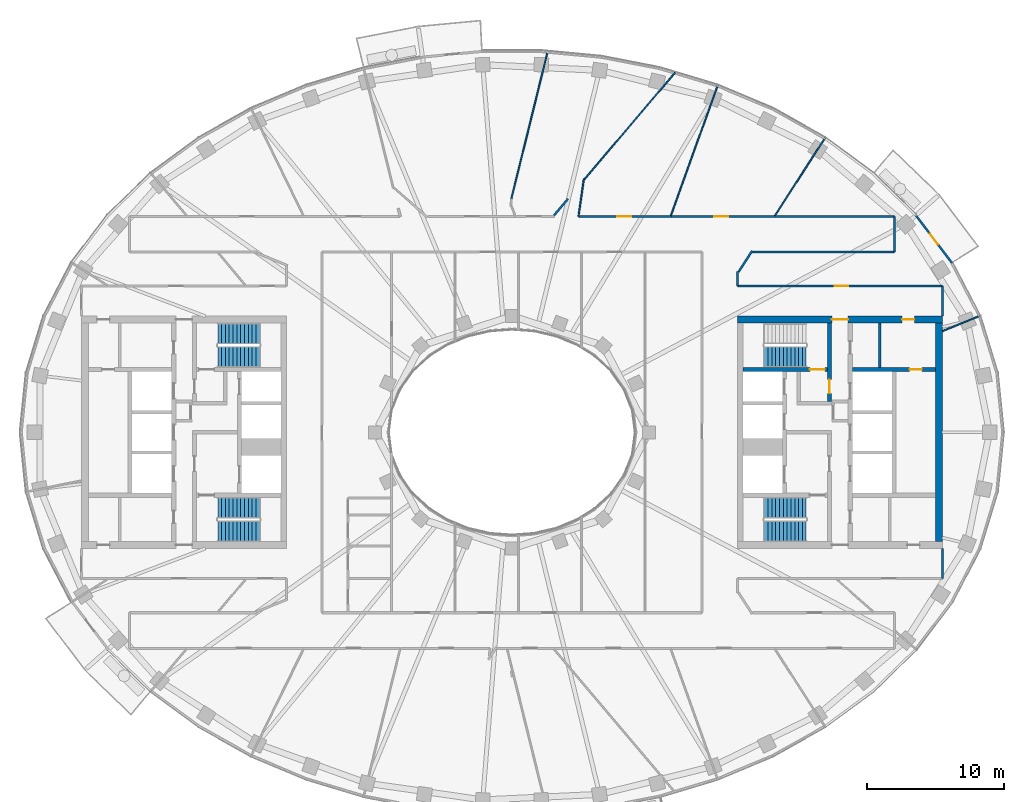
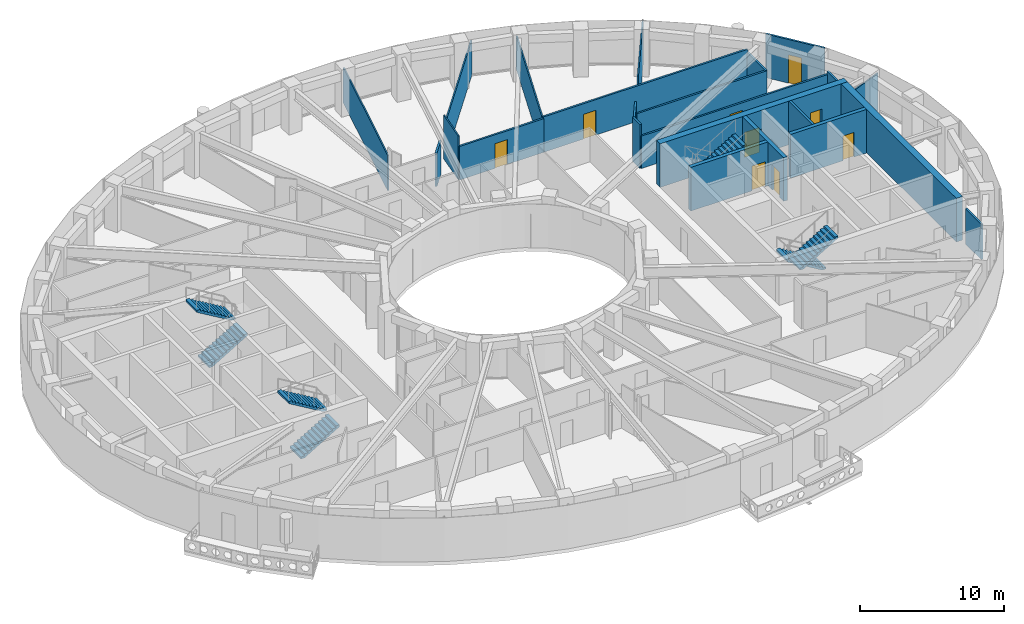
# One storey, part 7 of 17: 23 walls, 9 doors, 7 stair flights, 9 openings, 4 elements without a shape of their own.
"""IFC4 building model written with IfcOpenShell, lengths in metres."""

import ifcopenshell
import ifcopenshell.guid

model = None  # the IFC model being written
_history = None  # IfcOwnerHistory: only IFC2X3 demands one
_inside = {}  # id of a spatial element -> (the spatial element, [elements in it])
_under = {}  # id of a project, library or spatial element -> (it, [spatial elements below it])
_declared = {}  # id of a project -> (the project, [libraries it declares])
_typed = {}  # id of a type object -> (the type object, [elements of that type])
_made_of = {}  # id of a material, layer set ... -> (it, [elements and type objects made of it])


def new_model(schema):
    """Start an empty IFC model of exactly this schema.

    Asked for "IFC4X3", IfcOpenShell would pick the latest addendum, in which some entities
    have other attributes; the version numbers below select the first issue.
    IFC2X3 requires an IfcOwnerHistory on every rooted entity: one is made here for all.
    """
    global model, _history
    if schema == "IFC4X3":
        model = ifcopenshell.file(schema_version=(4, 3, 0, 0))
    else:
        model = ifcopenshell.file(schema=schema)
    _inside.clear()
    _under.clear()
    _declared.clear()
    _typed.clear()
    _made_of.clear()
    _history = None
    if model.schema == "IFC2X3":
        org = make("IfcOrganization", Name="unknown")
        user = make(
            "IfcPersonAndOrganization",
            ThePerson=make("IfcPerson", FamilyName="unknown"),
            TheOrganization=org,
        )
        app = make(
            "IfcApplication",
            ApplicationDeveloper=org,
            Version="unknown",
            ApplicationFullName="unknown",
            ApplicationIdentifier="unknown",
        )
        _history = make(
            "IfcOwnerHistory",
            OwningUser=user,
            OwningApplication=app,
            ChangeAction="ADDED",
            CreationDate=0,
        )
    return model


def make(cls, **values):
    """One entity of the class cls with the attributes given. An attribute that is None is left unset."""
    return model.create_entity(
        cls, **{name: value for name, value in values.items() if value is not None}
    )


def rooted(cls, **values):
    """An entity with a GlobalId (a new one), such as an element, a storey or a relation."""
    return make(cls, GlobalId=ifcopenshell.guid.new(), OwnerHistory=_history, **values)


def si_unit(unit_type, name, prefix=None):
    """IfcSIUnit, for example si_unit("LENGTHUNIT", "METRE", prefix="MILLI")."""
    return make("IfcSIUnit", UnitType=unit_type, Prefix=prefix, Name=name)


def assignment(units):
    """IfcUnitAssignment: the units of a project."""
    return None if units is None else make("IfcUnitAssignment", Units=units)


def point(xyz):
    """IfcCartesianPoint."""
    return None if xyz is None else make("IfcCartesianPoint", Coordinates=xyz)


def direction(xyz):
    """IfcDirection."""
    return None if xyz is None else make("IfcDirection", DirectionRatios=xyz)


def frame(location, z_axis=None, x_axis=None):
    """IfcAxis2Placement3D, a coordinate frame: its origin and axes. An axis left out is left unset."""
    return make(
        "IfcAxis2Placement3D",
        Location=point(location),
        Axis=direction(z_axis),
        RefDirection=direction(x_axis),
    )


def frame_2d(location, x_axis=None):
    """IfcAxis2Placement2D, a coordinate frame in the plane: its origin and x axis."""
    return make(
        "IfcAxis2Placement2D", Location=point(location), RefDirection=direction(x_axis)
    )


def origin():
    """The frame at (0, 0, 0) with its axes left unset."""
    return frame((0.0, 0.0, 0.0))


def place(relative_to, where):
    """IfcLocalPlacement: puts the frame where relative to a parent placement (None: the world)."""
    return make(
        "IfcLocalPlacement", PlacementRelTo=relative_to, RelativePlacement=where
    )


def context(
    kind, dimensions, precision=None, world=None, true_north=None, identifier=None
):
    """IfcGeometricRepresentationContext, for example the 3D "Model" context."""
    return make(
        "IfcGeometricRepresentationContext",
        ContextIdentifier=identifier,
        ContextType=kind,
        CoordinateSpaceDimension=dimensions,
        Precision=precision,
        WorldCoordinateSystem=world,
        TrueNorth=true_north,
    )


def subcontext(parent, identifier, kind, view, scale=None):
    """IfcGeometricRepresentationSubContext, for example "Body" below "Model"."""
    return make(
        "IfcGeometricRepresentationSubContext",
        ContextIdentifier=identifier,
        ContextType=kind,
        ParentContext=parent,
        TargetScale=scale,
        TargetView=view,
    )


def project(units=None, contexts=None):
    """IfcProject with its units and contexts."""
    return rooted(
        "IfcProject",
        Name="project",
        RepresentationContexts=contexts,
        UnitsInContext=assignment(units),
    )


def spatial(cls, under=None, at=None, **own):
    """A site, building, storey or space (cls), placed at a placement, below another one or the project."""
    s = rooted(cls, ObjectPlacement=at, **own)
    if under is not None:
        _under.setdefault(under.id(), (under, []))[1].append(s)
    return s


def polyline(points):
    """IfcPolyline through the points."""
    return make("IfcPolyline", Points=[point(p) for p in points])


def profile(cls, at=None, kind="AREA", **sizes):
    """A parametric profile (cls). Its sizes go by their IFC names, for example OverallWidth=200.0."""
    return make(cls, ProfileType=kind, Position=at, **sizes)


def rectangle(**sizes):
    """IfcRectangleProfileDef."""
    return profile("IfcRectangleProfileDef", **sizes)


def outline(outer, holes=None, kind="AREA"):
    """IfcArbitraryClosedProfileDef: a profile drawn as a closed curve; with holes, ...WithVoids."""
    if holes is None:
        return make("IfcArbitraryClosedProfileDef", ProfileType=kind, OuterCurve=outer)
    return make(
        "IfcArbitraryProfileDefWithVoids",
        ProfileType=kind,
        OuterCurve=outer,
        InnerCurves=holes,
    )


def extrude(swept, where, along, depth):
    """IfcExtrudedAreaSolid: the profile swept, set in the frame where, extruded along a direction by depth."""
    return make(
        "IfcExtrudedAreaSolid",
        SweptArea=swept,
        Position=where,
        ExtrudedDirection=direction(along),
        Depth=depth,
    )


def shape(context_of_items, identifier, shape_type, items):
    """IfcShapeRepresentation: the items that make up one representation, for example the "Body"."""
    return make(
        "IfcShapeRepresentation",
        ContextOfItems=context_of_items,
        RepresentationIdentifier=identifier,
        RepresentationType=shape_type,
        Items=items,
    )


def material(Name=None, Category=None):
    """IfcMaterial."""
    return make("IfcMaterial", Name=Name, Category=Category)


def layer(
    of_material, thickness, ventilated=None, Name=None, Category=None, Priority=None
):
    """IfcMaterialLayer: one layer of a wall or slab, of a material (None: an air gap)."""
    return make(
        "IfcMaterialLayer",
        Material=of_material,
        LayerThickness=thickness,
        IsVentilated=ventilated,
        Name=Name,
        Category=Category,
        Priority=Priority,
    )


def layer_set(layers, Name=None):
    """IfcMaterialLayerSet."""
    return make("IfcMaterialLayerSet", MaterialLayers=layers, LayerSetName=Name)


def made_of(thing, what):
    """Note that an element or type object is made of a material, layer set ...; save() writes the relation."""
    if what is not None:
        _made_of.setdefault(what.id(), (what, []))[1].append(thing)
    return thing


def type_object(cls, material=None, **own):
    """A type object (cls), such as IfcWallType, which elements share."""
    return made_of(rooted(cls, **own), material)


def element(
    cls,
    number,
    at=None,
    inside=None,
    cuts=None,
    type_object=None,
    material=None,
    context=None,
    identifier="Body",
    shape_type=None,
    held_by="IfcProductDefinitionShape",
    body=None,
    shapes=None,
    **own,
):
    """One element of the class cls, such as IfcWall. Its Tag is "e" and its number.

    at: its placement. inside: the storey or other place that contains it. cuts: it is an
    opening in that element (IfcRelVoidsElement). A single representation is given by context,
    identifier, shape_type and body (its items); several are given by shapes. held_by: the class
    of the entity that holds the representations. save() writes the other relations.
    """
    e = rooted(cls, Tag="e%d" % number, ObjectPlacement=at, **own)
    if body is not None:
        shapes = [shape(context, identifier, shape_type, body)]
    if shapes is not None:
        e.Representation = make(held_by, Representations=shapes)
    if inside is not None:
        _inside.setdefault(inside.id(), (inside, []))[1].append(e)
    if cuts is not None:
        rooted(
            "IfcRelVoidsElement", RelatingBuildingElement=cuts, RelatedOpeningElement=e
        )
    if type_object is not None:
        _typed.setdefault(type_object.id(), (type_object, []))[1].append(e)
    return made_of(e, material)


def fill(opening, filler):
    """IfcRelFillsElement: the door or window that sits in an opening."""
    return rooted(
        "IfcRelFillsElement",
        RelatingOpeningElement=opening,
        RelatedBuildingElement=filler,
    )


def aggregate(whole, parts):
    """IfcRelAggregates: a whole, such as a stair, and the parts it consists of."""
    return rooted("IfcRelAggregates", RelatingObject=whole, RelatedObjects=parts)


def save(model, path):
    """Write the relations noted so far, then the file.

    IfcRelAggregates (storeys below a building ...), IfcRelContainedInSpatialStructure (elements
    in a storey), IfcRelDefinesByType, IfcRelAssociatesMaterial and IfcRelDeclares: one each for
    every whole, place, type object, material and project.
    """
    for whole, parts in _under.values():
        aggregate(whole, parts)
    for where, things in _inside.values():
        rooted(
            "IfcRelContainedInSpatialStructure",
            RelatedElements=things,
            RelatingStructure=where,
        )
    for kind, things in _typed.values():
        rooted("IfcRelDefinesByType", RelatedObjects=things, RelatingType=kind)
    for what, things in _made_of.values():
        rooted("IfcRelAssociatesMaterial", RelatedObjects=things, RelatingMaterial=what)
    for by, libraries in _declared.values():
        rooted("IfcRelDeclares", RelatingContext=by, RelatedDefinitions=libraries)
    model.write(path)


model = new_model("IFC4")

# Units and contexts
model_context = context("Model", 3, precision=1e-05, world=origin(), true_north=direction((0.0, 1.0)))
body_context = subcontext(model_context, "Body", "Model", "MODEL_VIEW")
ifc_project = project(units=[si_unit("LENGTHUNIT", "METRE"), si_unit("AREAUNIT", "SQUARE_METRE"), si_unit("VOLUMEUNIT", "CUBIC_METRE"), si_unit("PLANEANGLEUNIT", "RADIAN"), si_unit("MASSUNIT", "GRAM", prefix="KILO")], contexts=[model_context])

# Site, building, storey
site_placement = place(None, origin())
site = spatial("IfcSite", under=ifc_project, at=site_placement, CompositionType="ELEMENT")
building_placement = place(site_placement, origin())
building = spatial("IfcBuilding", under=site, at=building_placement, Name="Noorbagh Ring Tower", CompositionType="ELEMENT")
storey_placement = place(building_placement, frame((0.0, 0.0, 269.5)))
storey = spatial("IfcBuildingStorey", under=building, at=storey_placement, Name="L57", CompositionType="ELEMENT", Elevation=269.5)

# Wall
ifc_material_1 = material(Name="Gypsum board on steel studs", Category="steel")
ifc_layer_1 = layer(ifc_material_1, 0.199951171875)
ifc_layer_set_1 = layer_set([ifc_layer_1], Name="Gypsum board on steel studs")
wall_type_1 = type_object("IfcWallType", Name="CORE-PARTITION-200", PredefinedType="PARTITIONING", material=ifc_layer_set_1)
wall_1_placement = place(storey_placement, frame((26.89990234375, 4.75, 0.0), z_axis=(0.0, 0.0, 1.0), x_axis=(0.0, 1.0, 0.0)))
element("IfcWall", 1, at=wall_1_placement, inside=storey, type_object=wall_type_1, Name="Core partition E", PredefinedType="PARTITIONING", context=body_context, shape_type="SweptSolid", body=[
    extrude(rectangle(XDim=3.25, YDim=0.199951171875, at=frame_2d((1.625, 0.0))), origin(), (0.0, 0.0, 1.0), 3.699951171875),
])

# Wall, opening, door
ifc_material_2 = material(Name="Concrete C60/75", Category="concrete")
ifc_layer_2 = layer(ifc_material_2, 0.300048828125)
ifc_layer_set_2 = layer_set([ifc_layer_2], Name="Concrete C60/75")
wall_type_2 = type_object("IfcWallType", Name="CORE-WALL-300-C60-75-EI240", PredefinedType="SHEAR", material=ifc_layer_set_2)
wall_2_placement = place(storey_placement, frame((24.89990234375, 4.60009765625, 0.0), z_axis=(0.0, 0.0, 1.0), x_axis=(1.0, 0.0, 0.0)))
wall_2 = element("IfcWall", 2, at=wall_2_placement, inside=storey, type_object=wall_type_2, Name="Core wall E", PredefinedType="SHEAR", context=body_context, shape_type="SweptSolid", body=[
    extrude(rectangle(XDim=6.10009765625, YDim=0.300048828125, at=frame_2d((3.050048828125, 0.0))), origin(), (0.0, 0.0, 1.0), 3.699951171875),
])
opening_1_placement = place(wall_2_placement, frame((4.199951171875, 0.0, 0.0)))
opening_1 = element("IfcOpeningElement", 3, at=opening_1_placement, cuts=wall_2, Name="Opening L57-CE18", PredefinedType="OPENING", context=body_context, shape_type="SweptSolid", body=[
    extrude(rectangle(XDim=0.89990234375, YDim=2.10009765625, at=frame_2d((0.449951171875, 1.050048828125))), frame((0.0, 0.16015625, 0.0), z_axis=(0.0, -1.0, 0.0), x_axis=(1.0, 0.0, 0.0)), (0.0, 0.0, 1.0), 0.320068359375),
])
ifc_material_3 = material(Name="Steel door leaf", Category="steel")
door_type_1 = type_object("IfcDoorType", Name="CORE-DOOR-DROOM", OperationType="SINGLE_SWING_LEFT", PredefinedType="DOOR", material=ifc_material_3)
door_1_placement = place(opening_1_placement, origin())
door_1 = element("IfcDoor", 4, at=door_1_placement, inside=storey, type_object=door_type_1, Name="Core room door L57-CE18", OperationType="SINGLE_SWING_RIGHT", OverallHeight=2.10009765625, OverallWidth=0.89990234375, PredefinedType="DOOR", context=body_context, shape_type="SweptSolid", body=[
    extrude(rectangle(XDim=0.89990234375, YDim=2.10009765625, at=frame_2d((0.449951171875, 1.050048828125))), frame((0.0, 0.02490234375, 0.0), z_axis=(0.0, -1.0, 0.0), x_axis=(1.0, 0.0, 0.0)), (0.0, 0.0, 1.0), 0.050048828125),
])
fill(opening_1, door_1)

wall_3_placement = place(storey_placement, frame((23.22998046875, 2.25, 0.0), z_axis=(0.0, 0.0, 1.0), x_axis=(0.0, 1.0, 0.0)))
wall_3 = element("IfcWall", 5, at=wall_3_placement, inside=storey, type_object=wall_type_2, Name="Core wall E", PredefinedType="SHEAR", context=body_context, shape_type="SweptSolid", body=[
    extrude(rectangle(XDim=5.75, YDim=0.300048828125, at=frame_2d((2.875, 0.0))), origin(), (0.0, 0.0, 1.0), 3.699951171875),
])
opening_2_placement = place(wall_3_placement, frame((0.60009765625, 0.0, 0.0)))
opening_2 = element("IfcOpeningElement", 6, at=opening_2_placement, cuts=wall_3, Name="Opening L57-CE10", PredefinedType="OPENING", context=body_context, shape_type="SweptSolid", body=[
    extrude(rectangle(XDim=1.0, YDim=2.10009765625, at=frame_2d((0.5, 1.050048828125))), frame((0.0, 0.16015625, 0.0), z_axis=(0.0, -1.0, 0.0), x_axis=(1.0, 0.0, 0.0)), (0.0, 0.0, 1.0), 0.320068359375),
])
ifc_material_4 = material(Name="Steel door leaf", Category="steel")
door_type_2 = type_object("IfcDoorType", Name="CORE-DOOR-DVEST", OperationType="SINGLE_SWING_LEFT", PredefinedType="DOOR", material=ifc_material_4)
door_2_placement = place(opening_2_placement, origin())
door_2 = element("IfcDoor", 7, at=door_2_placement, inside=storey, type_object=door_type_2, Name="Stair vestibule door L57-CE10", OperationType="SINGLE_SWING_RIGHT", OverallHeight=2.10009765625, OverallWidth=1.0, PredefinedType="DOOR", context=body_context, shape_type="SweptSolid", body=[
    extrude(rectangle(XDim=1.0, YDim=2.10009765625, at=frame_2d((0.5, 1.050048828125))), frame((0.0, 0.02490234375, 0.0), z_axis=(0.0, -1.0, 0.0), x_axis=(1.0, 0.0, 0.0)), (0.0, 0.0, 1.0), 0.050048828125),
])
fill(opening_2, door_2)

wall_4_placement = place(storey_placement, frame((16.89990234375, 4.60009765625, 0.0), z_axis=(0.0, 0.0, 1.0), x_axis=(1.0, 0.0, 0.0)))
wall_4 = element("IfcWall", 8, at=wall_4_placement, inside=storey, type_object=wall_type_2, Name="Core wall E", PredefinedType="SHEAR", context=body_context, shape_type="SweptSolid", body=[
    extrude(rectangle(XDim=6.18017578125, YDim=0.300048828125, at=frame_2d((3.090087890625, 0.0))), origin(), (0.0, 0.0, 1.0), 3.699951171875),
])
opening_3_placement = place(wall_4_placement, frame((4.89990234375, 0.0, 0.0)))
opening_3 = element("IfcOpeningElement", 9, at=opening_3_placement, cuts=wall_4, Name="Opening L57-CE07", PredefinedType="OPENING", context=body_context, shape_type="SweptSolid", body=[
    extrude(rectangle(XDim=1.10009765625, YDim=2.10009765625, at=frame_2d((0.550048828125, 1.050048828125))), frame((0.0, 0.16015625, 0.0), z_axis=(0.0, -1.0, 0.0), x_axis=(1.0, 0.0, 0.0)), (0.0, 0.0, 1.0), 0.320068359375),
])
ifc_material_5 = material(Name="Steel door leaf", Category="steel")
door_type_3 = type_object("IfcDoorType", Name="CORE-DOOR-DSTAIR", OperationType="SINGLE_SWING_LEFT", PredefinedType="DOOR", material=ifc_material_5)
door_3_placement = place(opening_3_placement, origin())
door_3 = element("IfcDoor", 10, at=door_3_placement, inside=storey, type_object=door_type_3, Name="Stair door ST3 L57-CE07", OperationType="SINGLE_SWING_LEFT", OverallHeight=2.10009765625, OverallWidth=1.10009765625, PredefinedType="DOOR", context=body_context, shape_type="SweptSolid", body=[
    extrude(rectangle(XDim=1.10009765625, YDim=2.10009765625, at=frame_2d((0.550048828125, 1.050048828125))), frame((0.0, 0.02490234375, 0.0), z_axis=(0.0, -1.0, 0.0), x_axis=(1.0, 0.0, 0.0)), (0.0, 0.0, 1.0), 0.050048828125),
])
fill(opening_3, door_3)

# Wall, openings, doors
ifc_material_6 = material(Name="Concrete C60/75", Category="concrete")
ifc_layer_3 = layer(ifc_material_6, 0.5)
ifc_layer_set_3 = layer_set([ifc_layer_3], Name="Concrete C60/75")
wall_type_3 = type_object("IfcWallType", Name="CORE-WALL-500-C60-75-EI240", PredefinedType="SHEAR", material=ifc_layer_set_3)
wall_5_placement = place(storey_placement, frame((16.5, 8.25, 0.0), z_axis=(0.0, 0.0, 1.0), x_axis=(1.0, 0.0, 0.0)))
wall_5 = element("IfcWall", 11, at=wall_5_placement, inside=storey, type_object=wall_type_3, Name="Core wall E", PredefinedType="SHEAR", context=body_context, shape_type="SweptSolid", body=[
    extrude(rectangle(XDim=15.0, YDim=0.5, at=frame_2d((7.5, 0.0))), origin(), (0.0, 0.0, 1.0), 3.699951171875),
])
opening_4_placement = place(wall_5_placement, frame((6.89990234375, 0.0, 0.0)))
opening_4 = element("IfcOpeningElement", 12, at=opening_4_placement, cuts=wall_5, Name="Opening L57-CE11", PredefinedType="OPENING", context=body_context, shape_type="SweptSolid", body=[
    extrude(rectangle(XDim=1.199951171875, YDim=2.10009765625, at=frame_2d((0.60009765625, 1.050048828125))), frame((0.0, 0.260009765625, 0.0), z_axis=(0.0, -1.0, 0.0), x_axis=(1.0, 0.0, 0.0)), (0.0, 0.0, 1.0), 0.52001953125),
])
opening_5_placement = place(wall_5_placement, frame((12.050048828125, 0.0, 0.0)))
opening_5 = element("IfcOpeningElement", 13, at=opening_5_placement, cuts=wall_5, Name="Opening L57-CE14", PredefinedType="OPENING", context=body_context, shape_type="SweptSolid", body=[
    extrude(rectangle(XDim=0.89990234375, YDim=2.10009765625, at=frame_2d((0.449951171875, 1.050048828125))), frame((0.0, 0.260009765625, 0.0), z_axis=(0.0, -1.0, 0.0), x_axis=(1.0, 0.0, 0.0)), (0.0, 0.0, 1.0), 0.52001953125),
])
door_4_placement = place(opening_5_placement, origin())
door_4 = element("IfcDoor", 14, at=door_4_placement, inside=storey, type_object=door_type_1, Name="Core room door L57-CE14", OperationType="SINGLE_SWING_LEFT", OverallHeight=2.10009765625, OverallWidth=0.89990234375, PredefinedType="DOOR", context=body_context, shape_type="SweptSolid", body=[
    extrude(rectangle(XDim=0.89990234375, YDim=2.10009765625, at=frame_2d((0.449951171875, 1.050048828125))), frame((0.0, 0.02490234375, 0.0), z_axis=(0.0, -1.0, 0.0), x_axis=(1.0, 0.0, 0.0)), (0.0, 0.0, 1.0), 0.050048828125),
])
fill(opening_5, door_4)
ifc_material_7 = material(Name="Steel door leaf", Category="steel")
door_type_4 = type_object("IfcDoorType", Name="CORE-DOOR-PORT", OperationType="DOUBLE_DOOR_DOUBLE_SWING", PredefinedType="DOOR", material=ifc_material_7)
door_5_placement = place(opening_4_placement, origin())
door_5 = element("IfcDoor", 15, at=door_5_placement, inside=storey, type_object=door_type_4, Name="Core entrance door L57-CE11", OperationType="DOUBLE_DOOR_DOUBLE_SWING", OverallHeight=2.10009765625, OverallWidth=1.199951171875, PredefinedType="DOOR", context=body_context, shape_type="SweptSolid", body=[
    extrude(rectangle(XDim=1.199951171875, YDim=2.10009765625, at=frame_2d((0.60009765625, 1.050048828125))), frame((0.0, 0.02490234375, 0.0), z_axis=(0.0, -1.0, 0.0), x_axis=(1.0, 0.0, 0.0)), (0.0, 0.0, 1.0), 0.050048828125),
])
fill(opening_4, door_5)

# Walls
wall_6_placement = place(storey_placement, frame((31.25, -8.0, 0.0), z_axis=(0.0, 0.0, 1.0), x_axis=(0.0, 1.0, 0.0)))
element("IfcWall", 16, at=wall_6_placement, inside=storey, type_object=wall_type_3, Name="Core wall E", PredefinedType="SHEAR", context=body_context, shape_type="SweptSolid", body=[
    extrude(rectangle(XDim=16.0, YDim=0.5, at=frame_2d((8.0, 0.0))), origin(), (0.0, 0.0, 1.0), 3.699951171875),
])
ifc_material_8 = material(Name="Gypsum board on steel studs", Category="steel")
ifc_layer_4 = layer(ifc_material_8, 0.14990234375)
ifc_layer_set_4 = layer_set([ifc_layer_4], Name="Gypsum board on steel studs")
wall_type_4 = type_object("IfcWallType", Name="CORRIDOR PARTITION 150 EI 30", PredefinedType="PARTITIONING", material=ifc_layer_set_4)
wall_7_placement = place(storey_placement, frame((3.074951171875, 15.8779296875, 0.0), z_axis=(0.0, 0.0, 1.0), x_axis=(0.646427152644, 0.76297571149, 0.0)))
element("IfcWall", 17, at=wall_7_placement, inside=storey, type_object=wall_type_4, Name="L57/wall/P58", PredefinedType="PARTITIONING", context=body_context, shape_type="SweptSolid", body=[
    extrude(rectangle(XDim=1.579345703125, YDim=0.14990234375, at=frame_2d((0.78955078125, 0.0))), origin(), (0.0, 0.0, 1.0), 2.85009765625),
])

# Wall, opening, door
wall_8_placement = place(storey_placement, frame((4.884033203125, 15.800048828125, 0.0), z_axis=(0.0, 0.0, 1.0), x_axis=(1.0, 0.0, 0.0)))
wall_8 = element("IfcWall", 18, at=wall_8_placement, inside=storey, type_object=wall_type_4, Name="L57/wall/P60", PredefinedType="PARTITIONING", context=body_context, shape_type="SweptSolid", body=[
    extrude(rectangle(XDim=6.77099609375, YDim=0.14990234375, at=frame_2d((3.385498046875, 0.0))), origin(), (0.0, 0.0, 1.0), 2.85009765625),
])
opening_6_placement = place(wall_8_placement, frame((2.830078125, 0.0, 0.0)))
opening_6 = element("IfcOpeningElement", 19, at=opening_6_placement, cuts=wall_8, Name="Opening D1", PredefinedType="OPENING", context=body_context, shape_type="SweptSolid", body=[
    extrude(rectangle(XDim=1.0, YDim=2.10009765625, at=frame_2d((0.5, 1.050048828125))), frame((0.0, 0.0849609375, 0.0), z_axis=(0.0, -1.0, 0.0), x_axis=(1.0, 0.0, 0.0)), (0.0, 0.0, 1.0), 0.169921875),
])
ifc_material_9 = material(Name="Timber, painted", Category="wood")
door_type_5 = type_object("IfcDoorType", Name="DOOR 1000 X 2100 FD30", OperationType="SINGLE_SWING_LEFT", PredefinedType="DOOR", material=ifc_material_9)
door_6_placement = place(opening_6_placement, origin())
door_6 = element("IfcDoor", 20, at=door_6_placement, inside=storey, type_object=door_type_5, Name="L57-D21", OperationType="SINGLE_SWING_LEFT", OverallHeight=2.10009765625, OverallWidth=1.0, PredefinedType="DOOR", context=body_context, shape_type="SweptSolid", body=[
    extrude(rectangle(XDim=1.0, YDim=2.10009765625, at=frame_2d((0.5, 1.050048828125))), frame((0.0, 0.02490234375, 0.0), z_axis=(0.0, -1.0, 0.0), x_axis=(1.0, 0.0, 0.0)), (0.0, 0.0, 1.0), 0.050048828125),
])
fill(opening_6, door_6)

wall_9_placement = place(storey_placement, frame((11.614013671875, 15.800048828125, 0.0), z_axis=(0.0, 0.0, 1.0), x_axis=(1.0, 0.0, 0.0)))
wall_9 = element("IfcWall", 21, at=wall_9_placement, inside=storey, type_object=wall_type_4, Name="L57/wall/P68", PredefinedType="PARTITIONING", context=body_context, shape_type="SweptSolid", body=[
    extrude(rectangle(XDim=16.385986328125, YDim=0.14990234375, at=frame_2d((8.19287109375, 0.0))), origin(), (0.0, 0.0, 1.0), 3.0),
])
opening_7_placement = place(wall_9_placement, frame((3.193115234375, 0.0, 0.0)))
opening_7 = element("IfcOpeningElement", 22, at=opening_7_placement, cuts=wall_9, Name="Opening D1", PredefinedType="OPENING", context=body_context, shape_type="SweptSolid", body=[
    extrude(rectangle(XDim=1.0, YDim=2.10009765625, at=frame_2d((0.5, 1.050048828125))), frame((0.0, 0.0849609375, 0.0), z_axis=(0.0, -1.0, 0.0), x_axis=(1.0, 0.0, 0.0)), (0.0, 0.0, 1.0), 0.169921875),
])
door_7_placement = place(opening_7_placement, origin())
door_7 = element("IfcDoor", 23, at=door_7_placement, inside=storey, type_object=door_type_5, Name="L57-D23", OperationType="SINGLE_SWING_LEFT", OverallHeight=2.10009765625, OverallWidth=1.0, PredefinedType="DOOR", context=body_context, shape_type="SweptSolid", body=[
    extrude(rectangle(XDim=1.0, YDim=2.10009765625, at=frame_2d((0.5, 1.050048828125))), frame((0.0, 0.02490234375, 0.0), z_axis=(0.0, -1.0, 0.0), x_axis=(1.0, 0.0, 0.0)), (0.0, 0.0, 1.0), 0.050048828125),
])
fill(opening_7, door_7)

# Wall
wall_10_placement = place(storey_placement, frame((16.5, 10.699951171875, 0.0), z_axis=(0.0, 0.0, 1.0), x_axis=(0.0, 1.0, 0.0)))
element("IfcWall", 24, at=wall_10_placement, inside=storey, type_object=wall_type_4, Name="L57/wall/P73", PredefinedType="PARTITIONING", context=body_context, shape_type="SweptSolid", body=[
    extrude(rectangle(XDim=1.054931640625, YDim=0.14990234375, at=frame_2d((0.52734375, 0.0))), origin(), (0.0, 0.0, 1.0), 3.699951171875),
])

# Wall, opening, door
wall_11_placement = place(storey_placement, frame((16.5, 10.699951171875, 0.0), z_axis=(0.0, 0.0, 1.0), x_axis=(1.0, 0.0, 0.0)))
wall_11 = element("IfcWall", 25, at=wall_11_placement, inside=storey, type_object=wall_type_4, Name="L57/wall/P74", PredefinedType="PARTITIONING", context=body_context, shape_type="SweptSolid", body=[
    extrude(rectangle(XDim=15.0, YDim=0.14990234375, at=frame_2d((7.5, 0.0))), origin(), (0.0, 0.0, 1.0), 2.75),
])
opening_8_placement = place(wall_11_placement, frame((7.10009765625, 0.0, 0.0)))
opening_8 = element("IfcOpeningElement", 26, at=opening_8_placement, cuts=wall_11, Name="Opening D1", PredefinedType="OPENING", context=body_context, shape_type="SweptSolid", body=[
    extrude(rectangle(XDim=1.0, YDim=2.10009765625, at=frame_2d((0.5, 1.050048828125))), frame((0.0, 0.0849609375, 0.0), z_axis=(0.0, -1.0, 0.0), x_axis=(1.0, 0.0, 0.0)), (0.0, 0.0, 1.0), 0.169921875),
])
door_8_placement = place(opening_8_placement, origin())
door_8 = element("IfcDoor", 27, at=door_8_placement, inside=storey, type_object=door_type_5, Name="L57-D25", OperationType="SINGLE_SWING_LEFT", OverallHeight=2.10009765625, OverallWidth=1.0, PredefinedType="DOOR", context=body_context, shape_type="SweptSolid", body=[
    extrude(rectangle(XDim=1.0, YDim=2.10009765625, at=frame_2d((0.5, 1.050048828125))), frame((0.0, 0.02490234375, 0.0), z_axis=(0.0, -1.0, 0.0), x_axis=(1.0, 0.0, 0.0)), (0.0, 0.0, 1.0), 0.050048828125),
])
fill(opening_8, door_8)

# Walls
wall_12_placement = place(storey_placement, frame((16.574951171875, 11.73291015625, 0.0), z_axis=(0.0, 0.0, 1.0), x_axis=(0.541860116324, 0.840468687304, 0.0)))
element("IfcWall", 28, at=wall_12_placement, inside=storey, type_object=wall_type_4, Name="L57/wall/P75", PredefinedType="PARTITIONING", context=body_context, shape_type="SweptSolid", body=[
    extrude(rectangle(XDim=1.834716796875, YDim=0.14990234375, at=frame_2d((0.91748046875, 0.0))), origin(), (0.0, 0.0, 1.0), 3.699951171875),
])
wall_13_placement = place(storey_placement, frame((17.610107421875, 13.199951171875, 0.0), z_axis=(0.0, 0.0, 1.0), x_axis=(1.0, 0.0, 0.0)))
element("IfcWall", 29, at=wall_13_placement, inside=storey, type_object=wall_type_4, Name="L57/wall/P77", PredefinedType="PARTITIONING", context=body_context, shape_type="SweptSolid", body=[
    extrude(rectangle(XDim=10.389892578125, YDim=0.14990234375, at=frame_2d((5.19482421875, 0.0))), origin(), (0.0, 0.0, 1.0), 2.75),
])
wall_14_placement = place(storey_placement, frame((28.0, 13.199951171875, 0.0), z_axis=(0.0, 0.0, 1.0), x_axis=(0.0, 1.0, 0.0)))
element("IfcWall", 30, at=wall_14_placement, inside=storey, type_object=wall_type_4, Name="L57/wall/P83", PredefinedType="PARTITIONING", context=body_context, shape_type="SweptSolid", body=[
    extrude(rectangle(XDim=2.60009765625, YDim=0.14990234375, at=frame_2d((1.300048828125, 0.0))), origin(), (0.0, 0.0, 1.0), 2.75),
])
for number, where, z_axis, x_axis, name in (
    (31, (31.5, -10.699951171875, 0.0), (0.0, 0.0, 1.0), (0.0, 1.0, 0.0), "L57/wall/P84"),
    (32, (31.5, 8.5, 0.0), (0.0, 0.0, 1.0), (0.0, 1.0, 0.0), "L57/wall/P86"),
):
    element("IfcWall", number, at=place(storey_placement, frame(where, z_axis=z_axis, x_axis=x_axis)), inside=storey, type_object=wall_type_4, Name=name, PredefinedType="PARTITIONING", context=body_context, shape_type="SweptSolid", body=[
        extrude(rectangle(XDim=2.199951171875, YDim=0.14990234375, at=frame_2d((1.10009765625, 0.0))), origin(), (0.0, 0.0, 1.0), 3.0),
    ])

# Wall, opening, door
ifc_material_10 = material(Name="Insulated aluminium clad panel", Category="aluminium")
ifc_layer_5 = layer(ifc_material_10, 0.14990234375)
ifc_layer_set_5 = layer_set([ifc_layer_5], Name="Insulated aluminium clad panel")
wall_type_5 = type_object("IfcWallType", Name="ENV-WALL-DOOR", PredefinedType="STANDARD", material=ifc_layer_set_5)
wall_15_placement = place(storey_placement, frame((32.20751953125, 12.37353515625, 0.0), z_axis=(0.0, 0.0, 1.0), x_axis=(-0.604045763106, 0.796949632081, 0.0)))
wall_15 = element("IfcWall", 33, at=wall_15_placement, inside=storey, type_object=wall_type_5, Name="Balcony door wall chord 04", PredefinedType="STANDARD", context=body_context, shape_type="SweptSolid", body=[
    extrude(rectangle(XDim=4.42333984375, YDim=0.14990234375, at=frame_2d((2.211669921875, 0.0))), origin(), (0.0, 0.0, 1.0), 3.699951171875),
])
opening_9_placement = place(wall_15_placement, frame((1.711669921875, 0.0, 0.0)))
opening_9 = element("IfcOpeningElement", 34, at=opening_9_placement, cuts=wall_15, Name="Opening D-BL", PredefinedType="OPENING", context=body_context, shape_type="SweptSolid", body=[
    extrude(rectangle(XDim=1.0, YDim=2.39990234375, at=frame_2d((0.5, 1.199951171875))), frame((0.0, 0.0849609375, 0.0), z_axis=(0.0, -1.0, 0.0), x_axis=(1.0, 0.0, 0.0)), (0.0, 0.0, 1.0), 0.169921875),
])
ifc_material_11 = material(Name="Aluminium and glass", Category="aluminium")
door_type_6 = type_object("IfcDoorType", Name="ENV-DOOR-BALCONY", OperationType="SINGLE_SWING_LEFT", PredefinedType="DOOR", material=ifc_material_11)
door_9_placement = place(opening_9_placement, origin())
door_9 = element("IfcDoor", 35, at=door_9_placement, inside=storey, type_object=door_type_6, Name="Balcony door chord 04", OperationType="SINGLE_SWING_RIGHT", OverallHeight=2.39990234375, OverallWidth=1.0, PredefinedType="DOOR", context=body_context, shape_type="SweptSolid", body=[
    extrude(rectangle(XDim=1.0, YDim=2.39990234375, at=frame_2d((0.5, 1.199951171875))), frame((0.0, 0.02490234375, 0.0), z_axis=(0.0, -1.0, 0.0), x_axis=(1.0, 0.0, 0.0)), (0.0, 0.0, 1.0), 0.050048828125),
])
fill(opening_9, door_9)

# Walls
ifc_material_12 = material(Name="Gypsum board on steel studs", Category="steel")
ifc_layer_6 = layer(ifc_material_12, 0.10009765625)
ifc_layer_set_6 = layer_set([ifc_layer_6], Name="Gypsum board on steel studs")
wall_type_6 = type_object("IfcWallType", Name="PARTITION 100 GYPSUM", PredefinedType="PARTITIONING", material=ifc_layer_set_6)
wall_16_placement = place(storey_placement, frame((-0.048095703125, 17.096923828125, 0.0), z_axis=(0.0, 0.0, 1.0), x_axis=(0.23971007337, 0.970844519336, 0.0)))
element("IfcWall", 36, at=wall_16_placement, inside=storey, type_object=wall_type_6, Name="L57/wall/P54", PredefinedType="PARTITIONING", context=body_context, shape_type="SweptSolid", body=[
    extrude(rectangle(XDim=11.084228515625, YDim=0.10009765625, at=frame_2d((5.5419921875, 0.0))), origin(), (0.0, 0.0, 1.0), 3.0),
])
wall_17_placement = place(storey_placement, frame((4.864013671875, 15.803955078125, 0.0), z_axis=(0.0, 0.0, 1.0), x_axis=(0.142908722314, 0.989735872385, 0.0)))
element("IfcWall", 37, at=wall_17_placement, inside=storey, type_object=wall_type_6, Name="L57/wall/P59", PredefinedType="PARTITIONING", context=body_context, shape_type="SweptSolid", body=[
    extrude(rectangle(XDim=2.75732421875, YDim=0.10009765625, at=frame_2d((1.378662109375, 0.0))), origin(), (0.0, 0.0, 1.0), 3.699951171875),
])
wall_18_placement = place(storey_placement, frame((5.305908203125, 18.511962890625, 0.0), z_axis=(0.0, 0.0, 1.0), x_axis=(0.646500054355, 0.762913939917, 0.0)))
element("IfcWall", 38, at=wall_18_placement, inside=storey, type_object=wall_type_6, Name="L57/wall/P63", PredefinedType="PARTITIONING", context=body_context, shape_type="SweptSolid", body=[
    extrude(rectangle(XDim=10.238525390625, YDim=0.10009765625, at=frame_2d((5.119140625, 0.0))), origin(), (0.0, 0.0, 1.0), 3.0),
])
wall_19_placement = place(storey_placement, frame((11.62890625, 15.875, 0.0), z_axis=(0.0, 0.0, 1.0), x_axis=(0.338394316696, 0.94100440298, 0.0)))
element("IfcWall", 39, at=wall_19_placement, inside=storey, type_object=wall_type_6, Name="L57/wall/P66", PredefinedType="PARTITIONING", context=body_context, shape_type="SweptSolid", body=[
    extrude(rectangle(XDim=10.104248046875, YDim=0.10009765625, at=frame_2d((5.05224609375, 0.0))), origin(), (0.0, 0.0, 1.0), 2.85009765625),
])
wall_20_placement = place(storey_placement, frame((19.248046875, 15.875, 0.0), z_axis=(0.0, 0.0, 1.0), x_axis=(0.542216737844, 0.840238662049, 0.0)))
element("IfcWall", 40, at=wall_20_placement, inside=storey, type_object=wall_type_6, Name="L57/wall/P79", PredefinedType="PARTITIONING", context=body_context, shape_type="SweptSolid", body=[
    extrude(rectangle(XDim=6.744384765625, YDim=0.10009765625, at=frame_2d((3.3720703125, 0.0))), origin(), (0.0, 0.0, 1.0), 3.699951171875),
])
wall_21_placement = place(storey_placement, frame((31.5, 7.409912109375, 0.0), z_axis=(0.0, 0.0, 1.0), x_axis=(0.925344112436, 0.379128307542, 0.0)))
element("IfcWall", 41, at=wall_21_placement, inside=storey, type_object=wall_type_6, Name="L57/wall/P85", PredefinedType="PARTITIONING", context=body_context, shape_type="SweptSolid", body=[
    extrude(rectangle(XDim=2.954345703125, YDim=0.10009765625, at=frame_2d((1.47705078125, 0.0))), origin(), (0.0, 0.0, 1.0), 3.199951171875),
])

# Stair, stair flights
ifc_material_13 = material(Name="Concrete C40/50", Category="concrete")
stair_type = type_object("IfcStairType", Name="CORE-STAIR", PredefinedType="HALF_TURN_STAIR", material=ifc_material_13)
stair_1_placement = place(storey_placement, origin())
stair_1 = element("IfcStair", 42, at=stair_1_placement, inside=storey, type_object=stair_type, Name="L57 Exit stair ST1", PredefinedType="HALF_TURN_STAIR")
ifc_material_14 = material(Name="Concrete C40/50", Category="concrete")
stair_flight_type = type_object("IfcStairFlightType", Name="CORE-STAIR-FLIGHT", PredefinedType="STRAIGHT", material=ifc_material_14)
stair_flight_1_placement = place(storey_placement, frame((-21.530029296875, 5.52490234375, 0.0), z_axis=(0.0, 0.0, 1.0), x_axis=(1.0, 0.0, 0.0)))
stair_flight_1 = element("IfcStairFlight", 43, at=stair_flight_1_placement, type_object=stair_flight_type, Name="ST1 flight 1", NumberOfRisers=12, NumberOfTreads=11, PredefinedType="STRAIGHT", RiserHeight=0.166666667, TreadLength=0.28, context=body_context, shape_type="SweptSolid", body=[
    extrude(outline(polyline([(0.0, 0.0), (0.0, 0.166748046875), (0.280029296875, 0.166748046875), (0.280029296875, 0.333251953125), (0.56005859375, 0.333251953125), (0.56005859375, 0.5), (0.840087890625, 0.5), (0.840087890625, 0.666748046875), (1.1201171875, 0.666748046875), (1.1201171875, 0.833251953125), (1.39990234375, 0.833251953125), (1.39990234375, 1.0), (1.679931640625, 1.0), (1.679931640625, 1.166748046875), (1.9599609375, 1.166748046875), (1.9599609375, 1.333251953125), (2.239990234375, 1.333251953125), (2.239990234375, 1.5), (2.52001953125, 1.5), (2.52001953125, 1.666748046875), (2.800048828125, 1.666748046875), (2.800048828125, 1.833251953125), (3.080078125, 1.833251953125), (3.080078125, 2.0), (3.080078125, 1.658935546875), (0.29296875, 0.0), (0.0, 0.0)])), frame((0.0, 0.77490234375, 0.0), z_axis=(0.0, -1.0, 0.0), x_axis=(1.0, 0.0, 0.0)), (0.0, 0.0, 1.0), 1.550048828125),
])
stair_flight_2_placement = place(storey_placement, frame((-18.449951171875, 7.22509765625, 2.0), z_axis=(0.0, 0.0, 1.0), x_axis=(-1.0, 0.0, 0.0)))
stair_flight_2 = element("IfcStairFlight", 44, at=stair_flight_2_placement, type_object=stair_flight_type, Name="ST1 flight 2", NumberOfRisers=12, NumberOfTreads=11, PredefinedType="STRAIGHT", RiserHeight=0.166666667, TreadLength=0.28, context=body_context, shape_type="SweptSolid", body=[
    extrude(outline(polyline([(0.0, 0.0), (0.0, 0.166748046875), (0.280029296875, 0.166748046875), (0.280029296875, 0.333251953125), (0.56005859375, 0.333251953125), (0.56005859375, 0.5), (0.840087890625, 0.5), (0.840087890625, 0.666748046875), (1.1201171875, 0.666748046875), (1.1201171875, 0.833251953125), (1.39990234375, 0.833251953125), (1.39990234375, 1.0), (1.679931640625, 1.0), (1.679931640625, 1.166748046875), (1.9599609375, 1.166748046875), (1.9599609375, 1.333251953125), (2.239990234375, 1.333251953125), (2.239990234375, 1.5), (2.52001953125, 1.5), (2.52001953125, 1.666748046875), (2.800048828125, 1.666748046875), (2.800048828125, 1.833251953125), (3.080078125, 1.833251953125), (3.080078125, 2.0), (3.080078125, 1.658935546875), (0.29296875, 0.0), (0.0, 0.0)])), frame((0.0, 0.77490234375, 0.0), z_axis=(0.0, -1.0, 0.0), x_axis=(1.0, 0.0, 0.0)), (0.0, 0.0, 1.0), 1.550048828125),
])
aggregate(stair_1, [stair_flight_1, stair_flight_2])

stair_2_placement = place(storey_placement, origin())
stair_2 = element("IfcStair", 45, at=stair_2_placement, inside=storey, type_object=stair_type, Name="L57 Exit stair ST2", PredefinedType="HALF_TURN_STAIR")
stair_flight_3_placement = place(storey_placement, frame((-21.530029296875, -7.22509765625, 0.0), z_axis=(0.0, 0.0, 1.0), x_axis=(1.0, 0.0, 0.0)))
stair_flight_3 = element("IfcStairFlight", 46, at=stair_flight_3_placement, type_object=stair_flight_type, Name="ST2 flight 1", NumberOfRisers=12, NumberOfTreads=11, PredefinedType="STRAIGHT", RiserHeight=0.166666667, TreadLength=0.28, context=body_context, shape_type="SweptSolid", body=[
    extrude(outline(polyline([(0.0, 0.0), (0.0, 0.166748046875), (0.280029296875, 0.166748046875), (0.280029296875, 0.333251953125), (0.56005859375, 0.333251953125), (0.56005859375, 0.5), (0.840087890625, 0.5), (0.840087890625, 0.666748046875), (1.1201171875, 0.666748046875), (1.1201171875, 0.833251953125), (1.39990234375, 0.833251953125), (1.39990234375, 1.0), (1.679931640625, 1.0), (1.679931640625, 1.166748046875), (1.9599609375, 1.166748046875), (1.9599609375, 1.333251953125), (2.239990234375, 1.333251953125), (2.239990234375, 1.5), (2.52001953125, 1.5), (2.52001953125, 1.666748046875), (2.800048828125, 1.666748046875), (2.800048828125, 1.833251953125), (3.080078125, 1.833251953125), (3.080078125, 2.0), (3.080078125, 1.658935546875), (0.29296875, 0.0), (0.0, 0.0)])), frame((0.0, 0.77490234375, 0.0), z_axis=(0.0, -1.0, 0.0), x_axis=(1.0, 0.0, 0.0)), (0.0, 0.0, 1.0), 1.550048828125),
])
stair_flight_4_placement = place(storey_placement, frame((-18.449951171875, -5.52490234375, 2.0), z_axis=(0.0, 0.0, 1.0), x_axis=(-1.0, 0.0, 0.0)))
stair_flight_4 = element("IfcStairFlight", 47, at=stair_flight_4_placement, type_object=stair_flight_type, Name="ST2 flight 2", NumberOfRisers=12, NumberOfTreads=11, PredefinedType="STRAIGHT", RiserHeight=0.166666667, TreadLength=0.28, context=body_context, shape_type="SweptSolid", body=[
    extrude(outline(polyline([(0.0, 0.0), (0.0, 0.166748046875), (0.280029296875, 0.166748046875), (0.280029296875, 0.333251953125), (0.56005859375, 0.333251953125), (0.56005859375, 0.5), (0.840087890625, 0.5), (0.840087890625, 0.666748046875), (1.1201171875, 0.666748046875), (1.1201171875, 0.833251953125), (1.39990234375, 0.833251953125), (1.39990234375, 1.0), (1.679931640625, 1.0), (1.679931640625, 1.166748046875), (1.9599609375, 1.166748046875), (1.9599609375, 1.333251953125), (2.239990234375, 1.333251953125), (2.239990234375, 1.5), (2.52001953125, 1.5), (2.52001953125, 1.666748046875), (2.800048828125, 1.666748046875), (2.800048828125, 1.833251953125), (3.080078125, 1.833251953125), (3.080078125, 2.0), (3.080078125, 1.658935546875), (0.29296875, 0.0), (0.0, 0.0)])), frame((0.0, 0.77490234375, 0.0), z_axis=(0.0, -1.0, 0.0), x_axis=(1.0, 0.0, 0.0)), (0.0, 0.0, 1.0), 1.550048828125),
])
aggregate(stair_2, [stair_flight_3, stair_flight_4])

# Stair, stair flight
stair_3_placement = place(storey_placement, origin())
stair_3 = element("IfcStair", 48, at=stair_3_placement, inside=storey, type_object=stair_type, Name="L57 Exit stair ST3", PredefinedType="HALF_TURN_STAIR")
stair_flight_5_placement = place(storey_placement, frame((18.449951171875, 5.52490234375, 2.0), z_axis=(0.0, 0.0, 1.0), x_axis=(1.0, 0.0, 0.0)))
stair_flight_5 = element("IfcStairFlight", 49, at=stair_flight_5_placement, type_object=stair_flight_type, Name="ST3 flight 2", NumberOfRisers=12, NumberOfTreads=11, PredefinedType="STRAIGHT", RiserHeight=0.166666667, TreadLength=0.28, context=body_context, shape_type="SweptSolid", body=[
    extrude(outline(polyline([(0.0, 0.0), (0.0, 0.166748046875), (0.280029296875, 0.166748046875), (0.280029296875, 0.333251953125), (0.56005859375, 0.333251953125), (0.56005859375, 0.5), (0.840087890625, 0.5), (0.840087890625, 0.666748046875), (1.1201171875, 0.666748046875), (1.1201171875, 0.833251953125), (1.39990234375, 0.833251953125), (1.39990234375, 1.0), (1.679931640625, 1.0), (1.679931640625, 1.166748046875), (1.9599609375, 1.166748046875), (1.9599609375, 1.333251953125), (2.239990234375, 1.333251953125), (2.239990234375, 1.5), (2.52001953125, 1.5), (2.52001953125, 1.666748046875), (2.800048828125, 1.666748046875), (2.800048828125, 1.833251953125), (3.080078125, 1.833251953125), (3.080078125, 2.0), (3.080078125, 1.658935546875), (0.29296875, 0.0), (0.0, 0.0)])), frame((0.0, 0.77490234375, 0.0), z_axis=(0.0, -1.0, 0.0), x_axis=(1.0, 0.0, 0.0)), (0.0, 0.0, 1.0), 1.550048828125),
])
aggregate(stair_3, [stair_flight_5])

# Stair, stair flights
stair_4_placement = place(storey_placement, origin())
stair_4 = element("IfcStair", 50, at=stair_4_placement, inside=storey, type_object=stair_type, Name="L57 Exit stair ST4", PredefinedType="HALF_TURN_STAIR")
stair_flight_6_placement = place(storey_placement, frame((21.530029296875, -5.52490234375, 0.0), z_axis=(0.0, 0.0, 1.0), x_axis=(-1.0, 0.0, 0.0)))
stair_flight_6 = element("IfcStairFlight", 51, at=stair_flight_6_placement, type_object=stair_flight_type, Name="ST4 flight 1", NumberOfRisers=12, NumberOfTreads=11, PredefinedType="STRAIGHT", RiserHeight=0.166666667, TreadLength=0.28, context=body_context, shape_type="SweptSolid", body=[
    extrude(outline(polyline([(0.0, 0.0), (0.0, 0.166748046875), (0.280029296875, 0.166748046875), (0.280029296875, 0.333251953125), (0.56005859375, 0.333251953125), (0.56005859375, 0.5), (0.840087890625, 0.5), (0.840087890625, 0.666748046875), (1.1201171875, 0.666748046875), (1.1201171875, 0.833251953125), (1.39990234375, 0.833251953125), (1.39990234375, 1.0), (1.679931640625, 1.0), (1.679931640625, 1.166748046875), (1.9599609375, 1.166748046875), (1.9599609375, 1.333251953125), (2.239990234375, 1.333251953125), (2.239990234375, 1.5), (2.52001953125, 1.5), (2.52001953125, 1.666748046875), (2.800048828125, 1.666748046875), (2.800048828125, 1.833251953125), (3.080078125, 1.833251953125), (3.080078125, 2.0), (3.080078125, 1.658935546875), (0.29296875, 0.0), (0.0, 0.0)])), frame((0.0, 0.77490234375, 0.0), z_axis=(0.0, -1.0, 0.0), x_axis=(1.0, 0.0, 0.0)), (0.0, 0.0, 1.0), 1.550048828125),
])
stair_flight_7_placement = place(storey_placement, frame((18.449951171875, -7.22509765625, 2.0), z_axis=(0.0, 0.0, 1.0), x_axis=(1.0, 0.0, 0.0)))
stair_flight_7 = element("IfcStairFlight", 52, at=stair_flight_7_placement, type_object=stair_flight_type, Name="ST4 flight 2", NumberOfRisers=12, NumberOfTreads=11, PredefinedType="STRAIGHT", RiserHeight=0.166666667, TreadLength=0.28, context=body_context, shape_type="SweptSolid", body=[
    extrude(outline(polyline([(0.0, 0.0), (0.0, 0.166748046875), (0.280029296875, 0.166748046875), (0.280029296875, 0.333251953125), (0.56005859375, 0.333251953125), (0.56005859375, 0.5), (0.840087890625, 0.5), (0.840087890625, 0.666748046875), (1.1201171875, 0.666748046875), (1.1201171875, 0.833251953125), (1.39990234375, 0.833251953125), (1.39990234375, 1.0), (1.679931640625, 1.0), (1.679931640625, 1.166748046875), (1.9599609375, 1.166748046875), (1.9599609375, 1.333251953125), (2.239990234375, 1.333251953125), (2.239990234375, 1.5), (2.52001953125, 1.5), (2.52001953125, 1.666748046875), (2.800048828125, 1.666748046875), (2.800048828125, 1.833251953125), (3.080078125, 1.833251953125), (3.080078125, 2.0), (3.080078125, 1.658935546875), (0.29296875, 0.0), (0.0, 0.0)])), frame((0.0, 0.77490234375, 0.0), z_axis=(0.0, -1.0, 0.0), x_axis=(1.0, 0.0, 0.0)), (0.0, 0.0, 1.0), 1.550048828125),
])
aggregate(stair_4, [stair_flight_6, stair_flight_7])

save(model, "model.ifc")
